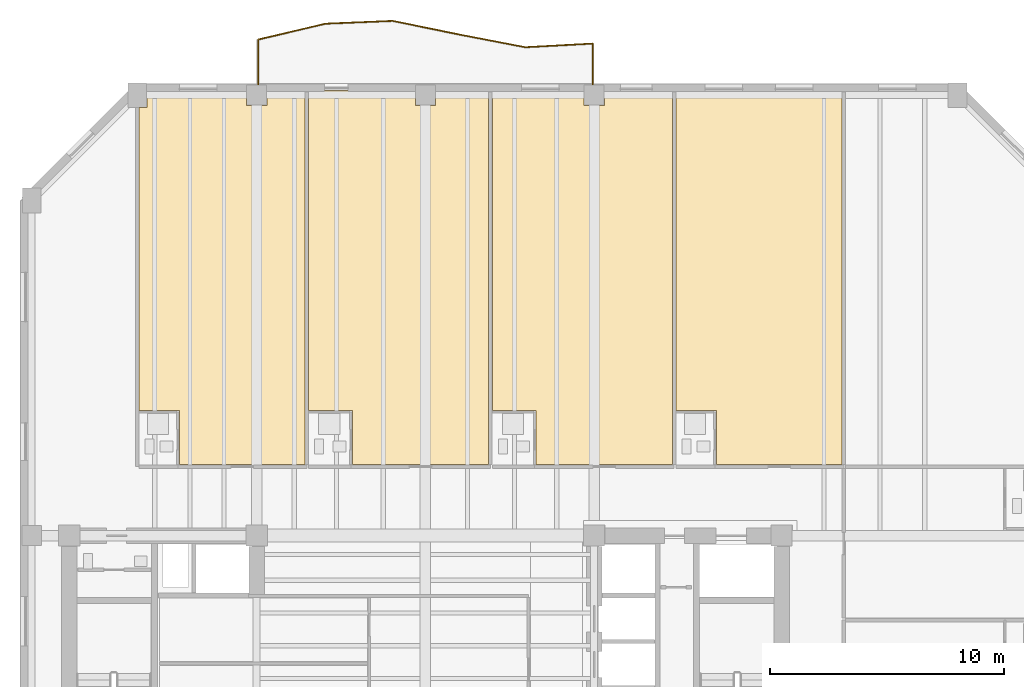
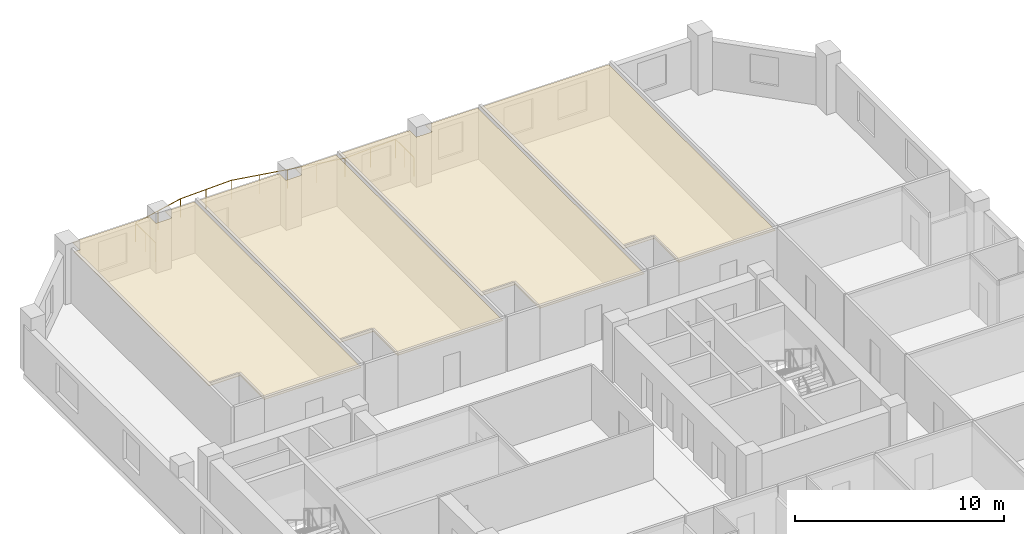
# One storey, part 10 of 11: 4 coverings, 1 railing.
"""IFC4 building model written with IfcOpenShell, lengths in metres."""

from ifc_helpers import new_model, si_unit, direction, frame, origin, origin_2d, place, context, subcontext, project, spatial, polyline, circle, outline, extrude, material, layer, layer_set, type_object, element, save


model = new_model("IFC4")

# Units and contexts
model_context = context("Model", 3, precision=1e-05, world=origin(), true_north=direction((0.0, 1.0)))
body_context = subcontext(model_context, "Body", "Model", "MODEL_VIEW")
ifc_project = project(units=[si_unit("LENGTHUNIT", "METRE"), si_unit("AREAUNIT", "SQUARE_METRE"), si_unit("VOLUMEUNIT", "CUBIC_METRE"), si_unit("PLANEANGLEUNIT", "RADIAN"), si_unit("MASSUNIT", "GRAM", prefix="KILO")], contexts=[model_context])

# Site, building, storey
site_placement = place(None, origin())
site = spatial("IfcSite", under=ifc_project, at=site_placement, CompositionType="ELEMENT")
building_placement = place(site_placement, origin())
building = spatial("IfcBuilding", under=site, at=building_placement, Name="Kranthara Brick Stack", CompositionType="ELEMENT")
storey_placement = place(building_placement, frame((0.0, 0.0, 172.800048828125)))
storey = spatial("IfcBuildingStorey", under=building, at=storey_placement, Name="L44", CompositionType="ELEMENT", Elevation=172.800048828125)

# Coverings
ifc_material_1 = material(Name="Perforated mineral-fibre acoustic ceiling tile", Category="other")
ifc_layer = layer(ifc_material_1, 0.02490234375)
ifc_layer_set = layer_set([ifc_layer], Name="Perforated mineral-fibre acoustic ceiling tile")
covering_type = type_object("IfcCoveringType", Name="COV-CEIL-ACOUSTIC", PredefinedType="CEILING", material=ifc_layer_set)
covering_1_placement = place(storey_placement, frame((0.0, 0.0, 2.929931640625)))
element("IfcCovering", 1, at=covering_1_placement, inside=storey, type_object=covering_type, Name="L44 Room L44-07 Corner Junior Suite Acoustic Ceiling", PredefinedType="CEILING", context=body_context, shape_type="SweptSolid", body=[
    extrude(outline(polyline([(22.85595703125, 36.6298828125), (17.49658203125, 36.6298828125), (17.49658203125, 38.93994140625), (15.780029296875, 38.93994140625), (15.780029296875, 51.864990234375), (16.110107421875, 51.864990234375), (16.110107421875, 52.60009765625), (20.364990234375, 52.60009765625), (20.364990234375, 51.965087890625), (21.235107421875, 51.965087890625), (21.235107421875, 52.60009765625), (22.85595703125, 52.60009765625), (22.85595703125, 36.6298828125)])), origin(), (0.0, 0.0, 1.0), 0.02490234375),
])
covering_2_placement = place(storey_placement, frame((0.0, 0.0, 2.929931640625)))
element("IfcCovering", 2, at=covering_2_placement, inside=storey, type_object=covering_type, Name="L44 Room L44-08 Corner Junior Suite Acoustic Ceiling", PredefinedType="CEILING", context=body_context, shape_type="SweptSolid", body=[
    extrude(outline(polyline([(30.695068359375, 52.60009765625), (30.695068359375, 36.6298828125), (24.87744140625, 36.6298828125), (24.87744140625, 38.93994140625), (23.01611328125, 38.93994140625), (23.01611328125, 52.60009765625), (27.56494140625, 52.60009765625), (27.56494140625, 51.965087890625), (28.43505859375, 51.965087890625), (28.43505859375, 52.60009765625), (30.695068359375, 52.60009765625)])), origin(), (0.0, 0.0, 1.0), 0.02490234375),
])
covering_3_placement = place(storey_placement, frame((0.0, 0.0, 2.929931640625)))
element("IfcCovering", 3, at=covering_3_placement, inside=storey, type_object=covering_type, Name="L44 Room L44-09 Corner Junior Suite Acoustic Ceiling", PredefinedType="CEILING", context=body_context, shape_type="SweptSolid", body=[
    extrude(outline(polyline([(38.533935546875, 52.60009765625), (38.533935546875, 36.6298828125), (32.71630859375, 36.6298828125), (32.71630859375, 38.93994140625), (30.85498046875, 38.93994140625), (30.85498046875, 52.60009765625), (34.764892578125, 52.60009765625), (34.764892578125, 51.965087890625), (35.635009765625, 51.965087890625), (35.635009765625, 52.60009765625), (38.533935546875, 52.60009765625)])), origin(), (0.0, 0.0, 1.0), 0.02490234375),
])
covering_4_placement = place(storey_placement, frame((0.0, 0.0, 2.929931640625)))
element("IfcCovering", 4, at=covering_4_placement, inside=storey, type_object=covering_type, Name="L44 Room L44-10 Corner Junior Suite Acoustic Ceiling", PredefinedType="CEILING", context=body_context, shape_type="SweptSolid", body=[
    extrude(outline(polyline([(40.41064453125, 36.6298828125), (45.77001953125, 36.6298828125), (45.77001953125, 52.60009765625), (38.694091796875, 52.60009765625), (38.694091796875, 38.93994140625), (40.41064453125, 38.93994140625), (40.41064453125, 36.6298828125)])), origin(), (0.0, 0.0, 1.0), 0.02490234375),
])

# Railing
ifc_material_2 = material(Name="Bronze anodised aluminium and laminated glass balustrade", Category="aluminium")
railing_type = type_object("IfcRailingType", Name="RL-BALC-1120", PredefinedType="BALUSTRADE", material=ifc_material_2)
railing_placement = place(storey_placement, frame((20.860107421875, 52.840087890625, 0.0)))
element("IfcRailing", 5, at=railing_placement, inside=storey, type_object=railing_type, Name="L44 North Rippling Balcony Balustrade", PredefinedType="BALUSTRADE", context=body_context, shape_type="SweptSolid", body=[
    extrude(circle(Radius=0.02392578125, at=origin_2d()), frame((0.0, 0.0, 1.09619140625), z_axis=(-0.000126614332, 0.999999991984, 0.0), x_axis=(-0.999999991984, -0.000126614332, 0.0)), (0.0, 0.0, 1.0), 1.92822265625),
    extrude(circle(Radius=0.02392578125, at=origin_2d()), frame((-0.000244140625, 1.92822265625, 1.09619140625), z_axis=(0.97329469968, 0.229559202766, 0.0), x_axis=(-0.229559202766, 0.97329469968, 0.0)), (0.0, 0.0, 1.0), 2.957763671875),
    extrude(circle(Radius=0.02392578125, at=origin_2d()), frame((2.87841796875, 2.607177734375, 1.09619140625), z_axis=(0.999152564619, 0.041160085222, 0.0), x_axis=(-0.041160085222, 0.999152564619, 0.0)), (0.0, 0.0, 1.0), 2.870849609375),
    extrude(circle(Radius=0.02392578125, at=origin_2d()), frame((5.746826171875, 2.725341796875, 1.09619140625), z_axis=(0.979659172213, -0.200668648023, 0.0), x_axis=(0.200668648023, 0.979659172213, 0.0)), (0.0, 0.0, 1.0), 2.834716796875),
    extrude(circle(Radius=0.02392578125, at=origin_2d()), frame((8.52392578125, 2.156494140625, 1.09619140625), z_axis=(0.981935030724, -0.189218380284, 0.0), x_axis=(0.189218380284, 0.981935030724, 0.0)), (0.0, 0.0, 1.0), 2.928955078125),
    extrude(circle(Radius=0.02392578125, at=origin_2d()), frame((11.39990234375, 1.602294921875, 1.09619140625), z_axis=(0.99854510799, 0.05392279025, 0.0), x_axis=(-0.05392279025, 0.99854510799, 0.0)), (0.0, 0.0, 1.0), 2.884033203125),
    extrude(circle(Radius=0.02392578125, at=origin_2d()), frame((14.27978515625, 1.7578125, 1.09619140625), z_axis=(0.0, -1.0, 0.0), x_axis=(1.0, 0.0, 0.0)), (0.0, 0.0, 1.0), 1.7578125),
    extrude(circle(Radius=0.02099609375, at=origin_2d()), origin(), (0.0, 0.0, 1.0), 1.072021484375),
    extrude(circle(Radius=0.02099609375, at=origin_2d()), frame((0.0, 0.964111328125, 0.0)), (0.0, 0.0, 1.0), 1.072021484375),
    extrude(circle(Radius=0.02099609375, at=origin_2d()), frame((-0.000244140625, 1.92822265625, 0.0)), (0.0, 0.0, 1.0), 1.072021484375),
    extrude(circle(Radius=0.02099609375, at=origin_2d()), frame((1.43896484375, 2.267578125, 0.0)), (0.0, 0.0, 1.0), 1.072021484375),
    extrude(circle(Radius=0.02099609375, at=origin_2d()), frame((2.87841796875, 2.607177734375, 0.0)), (0.0, 0.0, 1.0), 1.072021484375),
    extrude(circle(Radius=0.02099609375, at=origin_2d()), frame((4.3125, 2.666259765625, 0.0)), (0.0, 0.0, 1.0), 1.072021484375),
    extrude(circle(Radius=0.02099609375, at=origin_2d()), frame((5.746826171875, 2.725341796875, 0.0)), (0.0, 0.0, 1.0), 1.072021484375),
    extrude(circle(Radius=0.02099609375, at=origin_2d()), frame((7.13525390625, 2.44091796875, 0.0)), (0.0, 0.0, 1.0), 1.072021484375),
    extrude(circle(Radius=0.02099609375, at=origin_2d()), frame((8.52392578125, 2.156494140625, 0.0)), (0.0, 0.0, 1.0), 1.072021484375),
    extrude(circle(Radius=0.02099609375, at=origin_2d()), frame((9.9619140625, 1.87939453125, 0.0)), (0.0, 0.0, 1.0), 1.072021484375),
    extrude(circle(Radius=0.02099609375, at=origin_2d()), frame((11.39990234375, 1.602294921875, 0.0)), (0.0, 0.0, 1.0), 1.072021484375),
    extrude(circle(Radius=0.02099609375, at=origin_2d()), frame((12.83984375, 1.68017578125, 0.0)), (0.0, 0.0, 1.0), 1.072021484375),
    extrude(circle(Radius=0.02099609375, at=origin_2d()), frame((14.27978515625, 1.7578125, 0.0)), (0.0, 0.0, 1.0), 1.072021484375),
    extrude(circle(Radius=0.02099609375, at=origin_2d()), frame((14.27978515625, 0.87890625, 0.0)), (0.0, 0.0, 1.0), 1.072021484375),
    extrude(circle(Radius=0.02099609375, at=origin_2d()), frame((14.27978515625, 0.0, 0.0)), (0.0, 0.0, 1.0), 1.072021484375),
])

save(model, "model.ifc")
